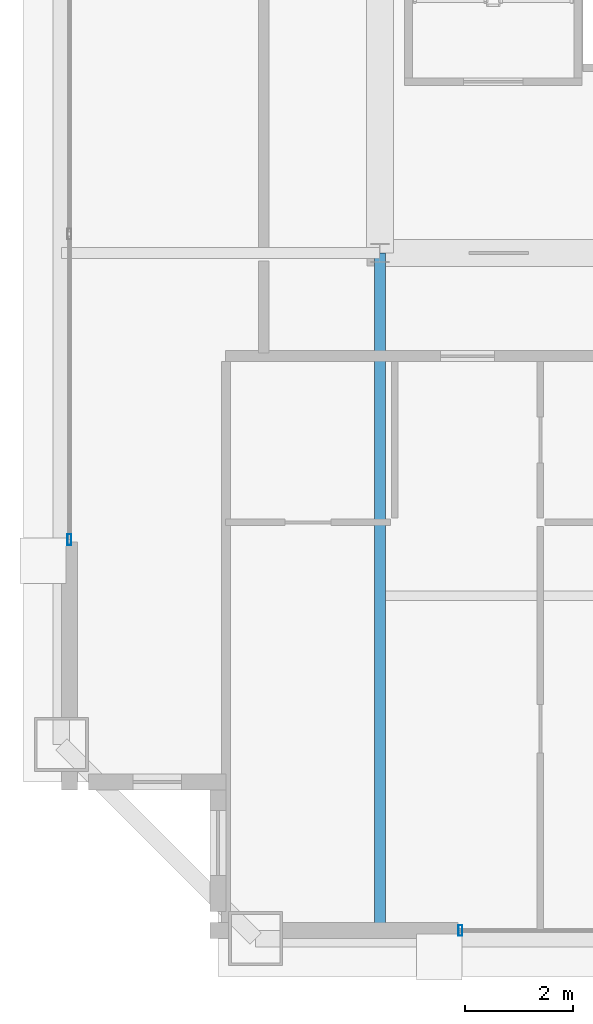
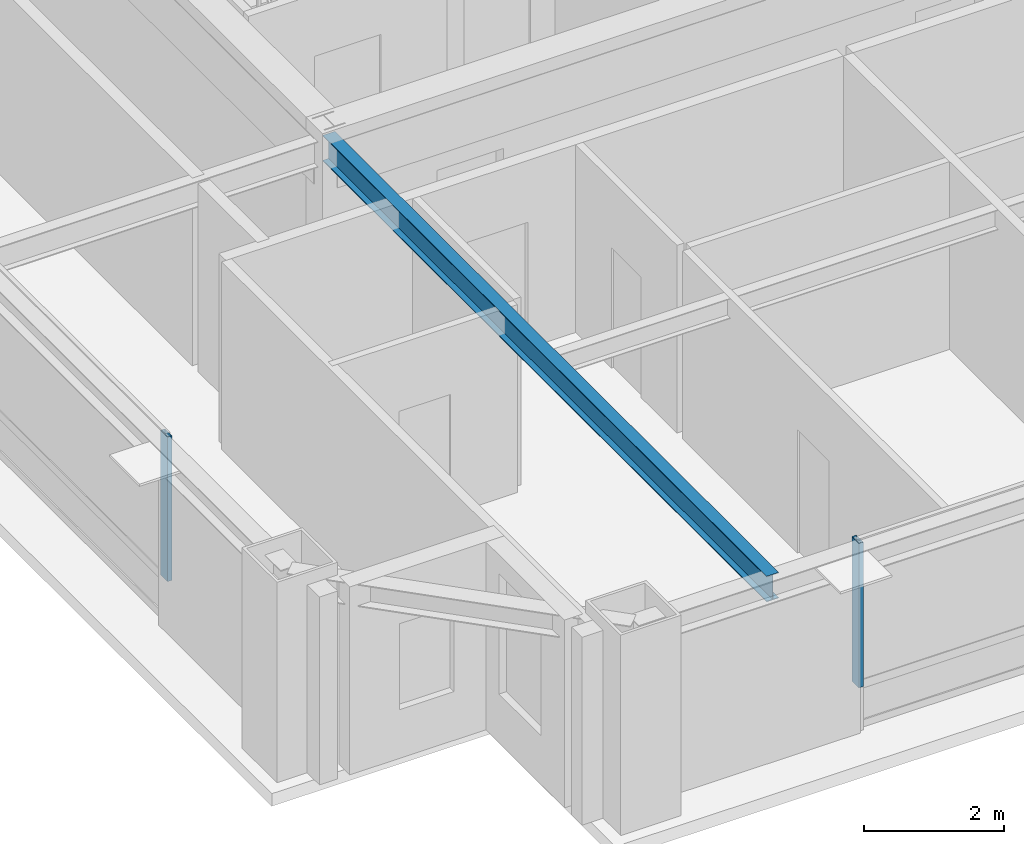
# One storey, part 4 of 35: 2 members, 1 beam, 2 elements without a shape of their own.
"""IFC4 building model written with IfcOpenShell, lengths in metres."""

from ifc_helpers import new_model, si_unit, direction, frame, origin, origin_2d, place, context, subcontext, project, spatial, hollow_rectangle, i_section, extrude, source, transform, mapped, material, layer, layer_set, material_profile, profile_set, type_object, element, aggregate, save


model = new_model("IFC4")

# Units and contexts
model_context = context("Model", 3, precision=1e-05, world=origin(), true_north=direction((0.0, 1.0)))
body_context = subcontext(model_context, "Body", "Model", "MODEL_VIEW")
ifc_project = project(units=[si_unit("LENGTHUNIT", "METRE"), si_unit("AREAUNIT", "SQUARE_METRE"), si_unit("VOLUMEUNIT", "CUBIC_METRE"), si_unit("PLANEANGLEUNIT", "RADIAN"), si_unit("MASSUNIT", "GRAM", prefix="KILO"), si_unit("THERMODYNAMICTEMPERATUREUNIT", "KELVIN"), si_unit("POWERUNIT", "WATT")], contexts=[model_context])

# Site, building, storey
site_placement = place(None, origin())
site = spatial("IfcSite", under=ifc_project, at=site_placement, CompositionType="ELEMENT")
building_placement = place(site_placement, origin())
building = spatial("IfcBuilding", under=site, at=building_placement, Name="Yuzanri Waterfront Tower", CompositionType="ELEMENT")
storey_placement = place(building_placement, frame((0.0, 0.0, 311.199951171875)))
storey = spatial("IfcBuildingStorey", under=building, at=storey_placement, Name="L83", CompositionType="ELEMENT", Elevation=311.199951171875)

# Beam
ifc_material_1 = material(Name="Steel Q355B", Category="steel")
ifc_material_profile_1 = material_profile(ifc_material_1, i_section(OverallWidth=0.199951171875, OverallDepth=0.449951171875, WebThickness=0.009033203125, FlangeThickness=0.013916015625, at=origin_2d()), Name="HN 450x200x9x14")
ifc_profile_set_1 = profile_set([ifc_material_profile_1], Name="Steel Q355B")
beam_type = type_object("IfcBeamType", Name="Secondary Floor Beam Q355B HN 450x200", PredefinedType="BEAM", material=ifc_profile_set_1)
shared_shape_1 = source(origin(), body_context, "Body", "SweptSolid", [
    extrude(i_section(OverallWidth=0.199951171875, OverallDepth=0.449951171875, WebThickness=0.009033203125, FlangeThickness=0.013916015625, at=origin_2d()), origin(), (0.0, 0.0, 1.0), 12.699951171875),
])
beam_placement = place(storey_placement, frame((23.800048828125, 19.39990234375, 3.054931640625), z_axis=(0.0, -1.0, 0.0), x_axis=(1.0, 0.0, 0.0)))
element("IfcBeam", 1, at=beam_placement, inside=storey, type_object=beam_type, Name="L83 South-West Core Line Beam", PredefinedType="BEAM", context=body_context, shape_type="MappedRepresentation", body=[
    mapped(shared_shape_1, transform((0.0, 0.0, 0.0), scale=1.0)),
])

# Curtain wall, member
ifc_material_2 = material(Name="Anodized Architectural Bronze", Category="metal")
ifc_layer = layer(ifc_material_2, 0.159912109375)
ifc_layer_set = layer_set([ifc_layer], Name="Anodized Architectural Bronze")
curtain_wall_type = type_object("IfcCurtainWallType", Name="Anodized Bronze High-Rise Penthouse High-Wind Unitized Curtain Wall 6900", PredefinedType="NOTDEFINED", material=ifc_layer_set)
curtain_wall_1_placement = place(storey_placement, origin())
curtain_wall_1 = element("IfcCurtainWall", 2, at=curtain_wall_1_placement, inside=storey, type_object=curtain_wall_type, Name="L83 Curtain Wall CW-L83-SL", PredefinedType="NOTDEFINED")
ifc_material_3 = material(Name="Anodized Architectural Bronze", Category="metal")
ifc_material_profile_2 = material_profile(ifc_material_3, hollow_rectangle(XDim=0.074951171875, YDim=0.199951171875, WallThickness=0.00390625, at=origin_2d()), Name="CWM 75x200")
ifc_profile_set_2 = profile_set([ifc_material_profile_2], Name="Anodized Architectural Bronze")
member_type = type_object("IfcMemberType", Name="Anodized Bronze Primary Curtain-Wall Mullion 75x200", PredefinedType="MULLION", material=ifc_profile_set_2)
shared_shape_2 = source(origin(), body_context, "Body", "SweptSolid", [
    extrude(hollow_rectangle(XDim=0.074951171875, YDim=0.199951171875, WallThickness=0.00390625, at=origin_2d()), origin(), (0.0, 0.0, 1.0), 2.52392578125),
])
member_1_placement = place(storey_placement, frame((25.2900390625, 6.85009765625, 0.756103515625), z_axis=(0.0, 0.0, 1.0), x_axis=(1.0, 0.0, 0.0)))
member_1 = element("IfcMember", 3, at=member_1_placement, type_object=member_type, Name="CW-L83-SL Upper Mullion 00", PredefinedType="MULLION", context=body_context, shape_type="MappedRepresentation", body=[
    mapped(shared_shape_2, transform((0.0, 0.0, 0.0), scale=1.0)),
])
aggregate(curtain_wall_1, [member_1])

curtain_wall_2_placement = place(storey_placement, origin())
curtain_wall_2 = element("IfcCurtainWall", 4, at=curtain_wall_2_placement, inside=storey, type_object=curtain_wall_type, Name="L83 Curtain Wall CW-L83-WL", PredefinedType="NOTDEFINED")
member_2_placement = place(storey_placement, frame((18.050048828125, 14.090087890625, 0.756103515625), z_axis=(0.0, 0.0, 1.0), x_axis=(1.0, 0.0, 0.0)))
member_2 = element("IfcMember", 5, at=member_2_placement, type_object=member_type, Name="CW-L83-WL Upper Mullion 00", PredefinedType="MULLION", context=body_context, shape_type="MappedRepresentation", body=[
    mapped(shared_shape_2, transform((0.0, 0.0, 0.0), scale=1.0)),
])
aggregate(curtain_wall_2, [member_2])

save(model, "model.ifc")
